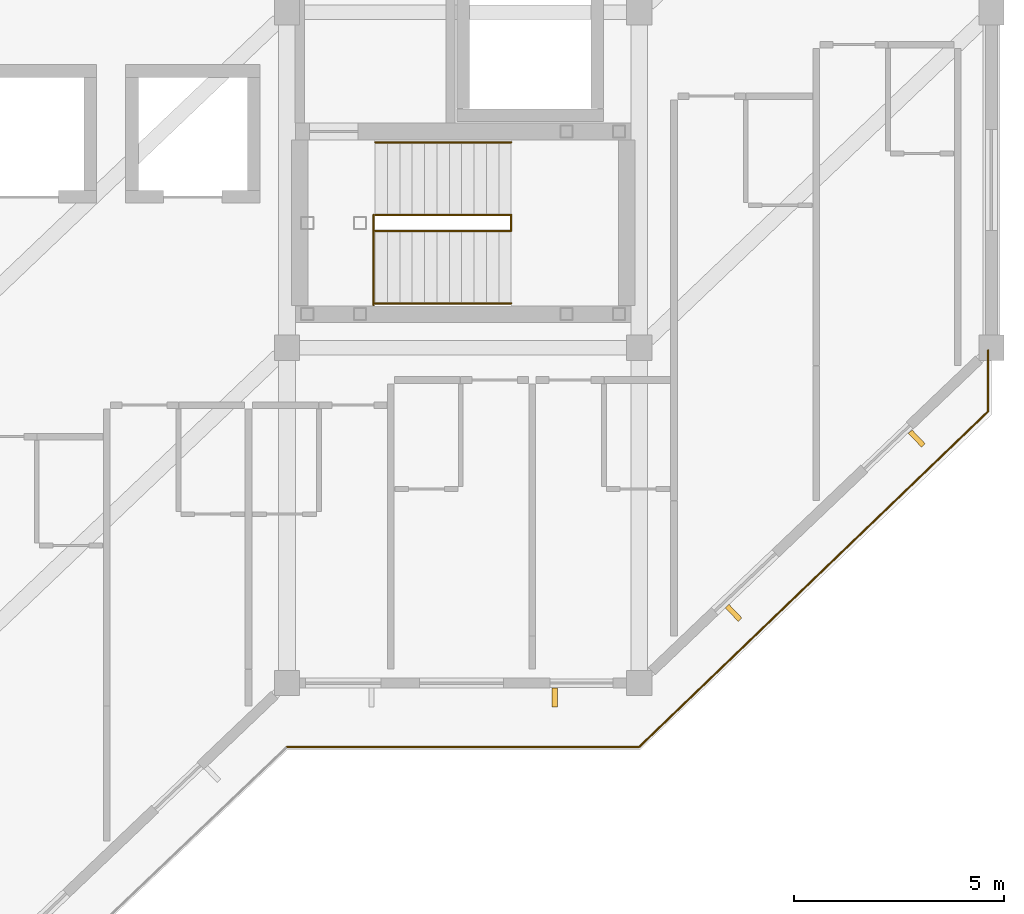
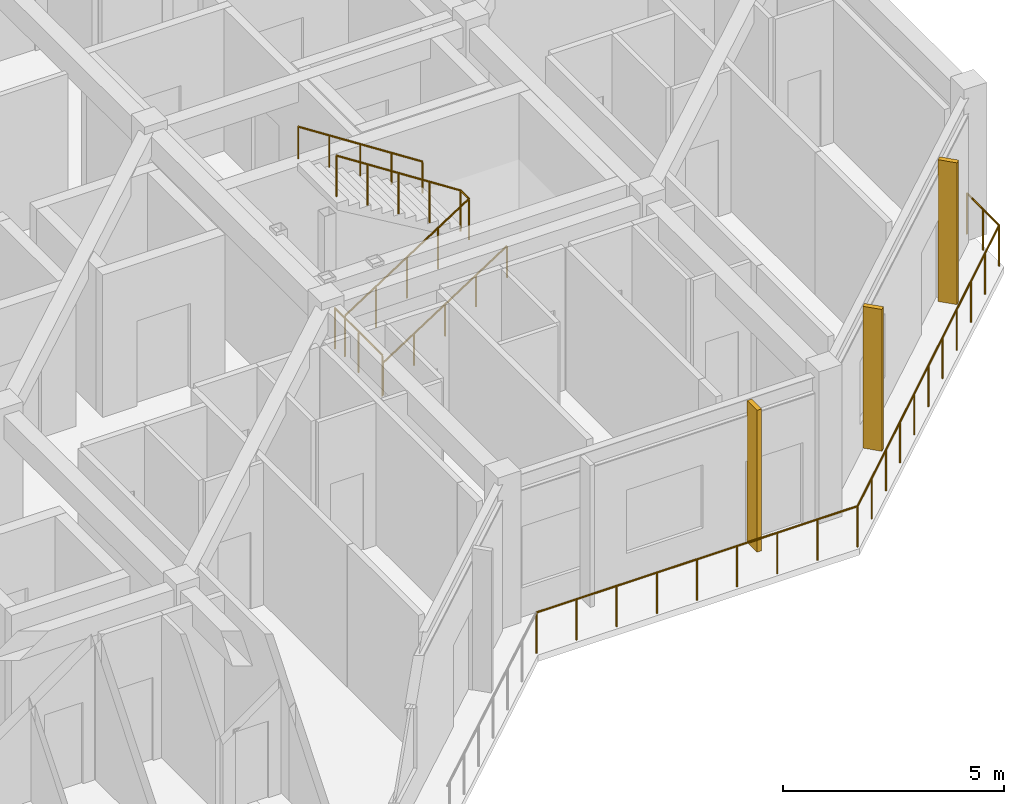
# One storey, part 12 of 13: 9 railings, 3 shading devices.
"""IFC4 building model written with IfcOpenShell, lengths in metres."""

import ifcopenshell
import ifcopenshell.guid

model = None  # the IFC model being written
_history = None  # IfcOwnerHistory: only IFC2X3 demands one
_inside = {}  # id of a spatial element -> (the spatial element, [elements in it])
_under = {}  # id of a project, library or spatial element -> (it, [spatial elements below it])
_declared = {}  # id of a project -> (the project, [libraries it declares])
_typed = {}  # id of a type object -> (the type object, [elements of that type])
_made_of = {}  # id of a material, layer set ... -> (it, [elements and type objects made of it])


def new_model(schema):
    """Start an empty IFC model of exactly this schema.

    Asked for "IFC4X3", IfcOpenShell would pick the latest addendum, in which some entities
    have other attributes; the version numbers below select the first issue.
    IFC2X3 requires an IfcOwnerHistory on every rooted entity: one is made here for all.
    """
    global model, _history
    if schema == "IFC4X3":
        model = ifcopenshell.file(schema_version=(4, 3, 0, 0))
    else:
        model = ifcopenshell.file(schema=schema)
    _inside.clear()
    _under.clear()
    _declared.clear()
    _typed.clear()
    _made_of.clear()
    _history = None
    if model.schema == "IFC2X3":
        org = make("IfcOrganization", Name="unknown")
        user = make(
            "IfcPersonAndOrganization",
            ThePerson=make("IfcPerson", FamilyName="unknown"),
            TheOrganization=org,
        )
        app = make(
            "IfcApplication",
            ApplicationDeveloper=org,
            Version="unknown",
            ApplicationFullName="unknown",
            ApplicationIdentifier="unknown",
        )
        _history = make(
            "IfcOwnerHistory",
            OwningUser=user,
            OwningApplication=app,
            ChangeAction="ADDED",
            CreationDate=0,
        )
    return model


def make(cls, **values):
    """One entity of the class cls with the attributes given. An attribute that is None is left unset."""
    return model.create_entity(
        cls, **{name: value for name, value in values.items() if value is not None}
    )


def rooted(cls, **values):
    """An entity with a GlobalId (a new one), such as an element, a storey or a relation."""
    return make(cls, GlobalId=ifcopenshell.guid.new(), OwnerHistory=_history, **values)


def si_unit(unit_type, name, prefix=None):
    """IfcSIUnit, for example si_unit("LENGTHUNIT", "METRE", prefix="MILLI")."""
    return make("IfcSIUnit", UnitType=unit_type, Prefix=prefix, Name=name)


def assignment(units):
    """IfcUnitAssignment: the units of a project."""
    return None if units is None else make("IfcUnitAssignment", Units=units)


def point(xyz):
    """IfcCartesianPoint."""
    return None if xyz is None else make("IfcCartesianPoint", Coordinates=xyz)


def direction(xyz):
    """IfcDirection."""
    return None if xyz is None else make("IfcDirection", DirectionRatios=xyz)


def frame(location, z_axis=None, x_axis=None):
    """IfcAxis2Placement3D, a coordinate frame: its origin and axes. An axis left out is left unset."""
    return make(
        "IfcAxis2Placement3D",
        Location=point(location),
        Axis=direction(z_axis),
        RefDirection=direction(x_axis),
    )


def frame_2d(location, x_axis=None):
    """IfcAxis2Placement2D, a coordinate frame in the plane: its origin and x axis."""
    return make(
        "IfcAxis2Placement2D", Location=point(location), RefDirection=direction(x_axis)
    )


def origin():
    """The frame at (0, 0, 0) with its axes left unset."""
    return frame((0.0, 0.0, 0.0))


def origin_2d():
    """The frame at (0, 0) in the plane with its x axis left unset."""
    return frame_2d((0.0, 0.0))


def place(relative_to, where):
    """IfcLocalPlacement: puts the frame where relative to a parent placement (None: the world)."""
    return make(
        "IfcLocalPlacement", PlacementRelTo=relative_to, RelativePlacement=where
    )


def context(
    kind, dimensions, precision=None, world=None, true_north=None, identifier=None
):
    """IfcGeometricRepresentationContext, for example the 3D "Model" context."""
    return make(
        "IfcGeometricRepresentationContext",
        ContextIdentifier=identifier,
        ContextType=kind,
        CoordinateSpaceDimension=dimensions,
        Precision=precision,
        WorldCoordinateSystem=world,
        TrueNorth=true_north,
    )


def subcontext(parent, identifier, kind, view, scale=None):
    """IfcGeometricRepresentationSubContext, for example "Body" below "Model"."""
    return make(
        "IfcGeometricRepresentationSubContext",
        ContextIdentifier=identifier,
        ContextType=kind,
        ParentContext=parent,
        TargetScale=scale,
        TargetView=view,
    )


def project(units=None, contexts=None):
    """IfcProject with its units and contexts."""
    return rooted(
        "IfcProject",
        Name="project",
        RepresentationContexts=contexts,
        UnitsInContext=assignment(units),
    )


def spatial(cls, under=None, at=None, **own):
    """A site, building, storey or space (cls), placed at a placement, below another one or the project."""
    s = rooted(cls, ObjectPlacement=at, **own)
    if under is not None:
        _under.setdefault(under.id(), (under, []))[1].append(s)
    return s


def profile(cls, at=None, kind="AREA", **sizes):
    """A parametric profile (cls). Its sizes go by their IFC names, for example OverallWidth=200.0."""
    return make(cls, ProfileType=kind, Position=at, **sizes)


def rectangle(**sizes):
    """IfcRectangleProfileDef."""
    return profile("IfcRectangleProfileDef", **sizes)


def circle(**sizes):
    """IfcCircleProfileDef."""
    return profile("IfcCircleProfileDef", **sizes)


def extrude(swept, where, along, depth):
    """IfcExtrudedAreaSolid: the profile swept, set in the frame where, extruded along a direction by depth."""
    return make(
        "IfcExtrudedAreaSolid",
        SweptArea=swept,
        Position=where,
        ExtrudedDirection=direction(along),
        Depth=depth,
    )


def shape(context_of_items, identifier, shape_type, items):
    """IfcShapeRepresentation: the items that make up one representation, for example the "Body"."""
    return make(
        "IfcShapeRepresentation",
        ContextOfItems=context_of_items,
        RepresentationIdentifier=identifier,
        RepresentationType=shape_type,
        Items=items,
    )


def material(Name=None, Category=None):
    """IfcMaterial."""
    return make("IfcMaterial", Name=Name, Category=Category)


def layer(
    of_material, thickness, ventilated=None, Name=None, Category=None, Priority=None
):
    """IfcMaterialLayer: one layer of a wall or slab, of a material (None: an air gap)."""
    return make(
        "IfcMaterialLayer",
        Material=of_material,
        LayerThickness=thickness,
        IsVentilated=ventilated,
        Name=Name,
        Category=Category,
        Priority=Priority,
    )


def layer_set(layers, Name=None):
    """IfcMaterialLayerSet."""
    return make("IfcMaterialLayerSet", MaterialLayers=layers, LayerSetName=Name)


def made_of(thing, what):
    """Note that an element or type object is made of a material, layer set ...; save() writes the relation."""
    if what is not None:
        _made_of.setdefault(what.id(), (what, []))[1].append(thing)
    return thing


def type_object(cls, material=None, **own):
    """A type object (cls), such as IfcWallType, which elements share."""
    return made_of(rooted(cls, **own), material)


def element(
    cls,
    number,
    at=None,
    inside=None,
    cuts=None,
    type_object=None,
    material=None,
    context=None,
    identifier="Body",
    shape_type=None,
    held_by="IfcProductDefinitionShape",
    body=None,
    shapes=None,
    **own,
):
    """One element of the class cls, such as IfcWall. Its Tag is "e" and its number.

    at: its placement. inside: the storey or other place that contains it. cuts: it is an
    opening in that element (IfcRelVoidsElement). A single representation is given by context,
    identifier, shape_type and body (its items); several are given by shapes. held_by: the class
    of the entity that holds the representations. save() writes the other relations.
    """
    e = rooted(cls, Tag="e%d" % number, ObjectPlacement=at, **own)
    if body is not None:
        shapes = [shape(context, identifier, shape_type, body)]
    if shapes is not None:
        e.Representation = make(held_by, Representations=shapes)
    if inside is not None:
        _inside.setdefault(inside.id(), (inside, []))[1].append(e)
    if cuts is not None:
        rooted(
            "IfcRelVoidsElement", RelatingBuildingElement=cuts, RelatedOpeningElement=e
        )
    if type_object is not None:
        _typed.setdefault(type_object.id(), (type_object, []))[1].append(e)
    return made_of(e, material)


def aggregate(whole, parts):
    """IfcRelAggregates: a whole, such as a stair, and the parts it consists of."""
    return rooted("IfcRelAggregates", RelatingObject=whole, RelatedObjects=parts)


def save(model, path):
    """Write the relations noted so far, then the file.

    IfcRelAggregates (storeys below a building ...), IfcRelContainedInSpatialStructure (elements
    in a storey), IfcRelDefinesByType, IfcRelAssociatesMaterial and IfcRelDeclares: one each for
    every whole, place, type object, material and project.
    """
    for whole, parts in _under.values():
        aggregate(whole, parts)
    for where, things in _inside.values():
        rooted(
            "IfcRelContainedInSpatialStructure",
            RelatedElements=things,
            RelatingStructure=where,
        )
    for kind, things in _typed.values():
        rooted("IfcRelDefinesByType", RelatedObjects=things, RelatingType=kind)
    for what, things in _made_of.values():
        rooted("IfcRelAssociatesMaterial", RelatedObjects=things, RelatingMaterial=what)
    for by, libraries in _declared.values():
        rooted("IfcRelDeclares", RelatingContext=by, RelatedDefinitions=libraries)
    model.write(path)


model = new_model("IFC4")

# Units and contexts
model_context = context("Model", 3, precision=1e-05, world=origin(), true_north=direction((0.0, 1.0)))
body_context = subcontext(model_context, "Body", "Model", "MODEL_VIEW")
ifc_project = project(units=[si_unit("LENGTHUNIT", "METRE"), si_unit("AREAUNIT", "SQUARE_METRE"), si_unit("VOLUMEUNIT", "CUBIC_METRE"), si_unit("PLANEANGLEUNIT", "RADIAN"), si_unit("MASSUNIT", "GRAM", prefix="KILO")], contexts=[model_context])

# Site, building, storey
site_placement = place(None, origin())
site = spatial("IfcSite", under=ifc_project, at=site_placement, CompositionType="ELEMENT")
building_placement = place(site_placement, origin())
building = spatial("IfcBuilding", under=site, at=building_placement, Name="Naruveol Harbour Congress Hotel", CompositionType="ELEMENT")
storey_placement = place(building_placement, frame((0.0, 0.0, 43.199951171875)))
storey = spatial("IfcBuildingStorey", under=building, at=storey_placement, Name="L10", CompositionType="ELEMENT", Elevation=43.199951171875)

# Railings
ifc_material_1 = material(Name="Tempered Laminated Safety Glass & Stainless Steel", Category="steel")
ifc_layer_1 = layer(ifc_material_1, 0.06005859375)
ifc_layer_set_1 = layer_set([ifc_layer_1], Name="Tempered Laminated Safety Glass & Stainless Steel")
railing_type_1 = type_object("IfcRailingType", Name="LAMINATED GLASS TERRACE BALUSTRADE 1150", PredefinedType="BALUSTRADE", material=ifc_layer_set_1)
railing_1_placement = place(storey_placement, frame((151.199951171875, 6.47998046875, 0.0)))
element("IfcRailing", 1, at=railing_1_placement, inside=storey, type_object=railing_type_1, Name="L10 Harbour balcony balustrade #132", PredefinedType="BALUSTRADE", context=body_context, shape_type="SweptSolid", body=[
    extrude(circle(Radius=0.02392578125, at=origin_2d()), frame((0.0, 0.0, 1.1259765625), z_axis=(1.0, 0.0, 0.0), x_axis=(0.0, 1.0, 0.0)), (0.0, 0.0, 1.0), 8.400146484375),
    extrude(circle(Radius=0.02099609375, at=origin_2d()), origin(), (0.0, 0.0, 1.0), 1.101806640625),
    extrude(circle(Radius=0.02099609375, at=origin_2d()), frame((1.050048828125, 0.0, 0.0)), (0.0, 0.0, 1.0), 1.101806640625),
    extrude(circle(Radius=0.02099609375, at=origin_2d()), frame((2.10009765625, 0.0, 0.0)), (0.0, 0.0, 1.0), 1.101806640625),
    extrude(circle(Radius=0.02099609375, at=origin_2d()), frame((3.150146484375, 0.0, 0.0)), (0.0, 0.0, 1.0), 1.101806640625),
    extrude(circle(Radius=0.02099609375, at=origin_2d()), frame((4.2001953125, 0.0, 0.0)), (0.0, 0.0, 1.0), 1.101806640625),
    extrude(circle(Radius=0.02099609375, at=origin_2d()), frame((5.25, 0.0, 0.0)), (0.0, 0.0, 1.0), 1.101806640625),
    extrude(circle(Radius=0.02099609375, at=origin_2d()), frame((6.300048828125, 0.0, 0.0)), (0.0, 0.0, 1.0), 1.101806640625),
    extrude(circle(Radius=0.02099609375, at=origin_2d()), frame((7.35009765625, 0.0, 0.0)), (0.0, 0.0, 1.0), 1.101806640625),
    extrude(circle(Radius=0.02099609375, at=origin_2d()), frame((8.400146484375, 0.0, 0.0)), (0.0, 0.0, 1.0), 1.101806640625),
])
railing_2_placement = place(storey_placement, frame((159.60009765625, 6.47998046875, 0.0)))
element("IfcRailing", 2, at=railing_2_placement, inside=storey, type_object=railing_type_1, Name="L10 Harbour balcony balustrade #133", PredefinedType="BALUSTRADE", context=body_context, shape_type="SweptSolid", body=[
    extrude(circle(Radius=0.02392578125, at=origin_2d()), frame((0.0, 0.0, 1.1259765625), z_axis=(0.720825748563, 0.693116325164, 0.0), x_axis=(-0.693116325164, 0.720825748563, 0.0)), (0.0, 0.0, 1.0), 11.5419921875),
    extrude(circle(Radius=0.02099609375, at=origin_2d()), origin(), (0.0, 0.0, 1.0), 1.101806640625),
    extrude(circle(Radius=0.02099609375, at=origin_2d()), frame((0.83203125, 0.800048828125, 0.0)), (0.0, 0.0, 1.0), 1.101806640625),
    extrude(circle(Radius=0.02099609375, at=origin_2d()), frame((1.6640625, 1.60009765625, 0.0)), (0.0, 0.0, 1.0), 1.101806640625),
    extrude(circle(Radius=0.02099609375, at=origin_2d()), frame((2.495849609375, 2.39990234375, 0.0)), (0.0, 0.0, 1.0), 1.101806640625),
    extrude(circle(Radius=0.02099609375, at=origin_2d()), frame((3.327880859375, 3.199951171875, 0.0)), (0.0, 0.0, 1.0), 1.101806640625),
    extrude(circle(Radius=0.02099609375, at=origin_2d()), frame((4.159912109375, 4.0, 0.0)), (0.0, 0.0, 1.0), 1.101806640625),
    extrude(circle(Radius=0.02099609375, at=origin_2d()), frame((4.991943359375, 4.800048828125, 0.0)), (0.0, 0.0, 1.0), 1.101806640625),
    extrude(circle(Radius=0.02099609375, at=origin_2d()), frame((5.823974609375, 5.60009765625, 0.0)), (0.0, 0.0, 1.0), 1.101806640625),
    extrude(circle(Radius=0.02099609375, at=origin_2d()), frame((6.65576171875, 6.39990234375, 0.0)), (0.0, 0.0, 1.0), 1.101806640625),
    extrude(circle(Radius=0.02099609375, at=origin_2d()), frame((7.48779296875, 7.199951171875, 0.0)), (0.0, 0.0, 1.0), 1.101806640625),
    extrude(circle(Radius=0.02099609375, at=origin_2d()), frame((8.31982421875, 8.0, 0.0)), (0.0, 0.0, 1.0), 1.101806640625),
])
railing_3_placement = place(storey_placement, frame((167.919921875, 14.47998046875, 0.0)))
element("IfcRailing", 3, at=railing_3_placement, inside=storey, type_object=railing_type_1, Name="L10 Harbour balcony balustrade #134", PredefinedType="BALUSTRADE", context=body_context, shape_type="SweptSolid", body=[
    extrude(circle(Radius=0.02392578125, at=origin_2d()), frame((0.0, 0.0, 1.1259765625), z_axis=(0.0, 1.0, 0.0), x_axis=(-1.0, 0.0, 0.0)), (0.0, 0.0, 1.0), 1.4599609375),
    extrude(circle(Radius=0.02099609375, at=origin_2d()), origin(), (0.0, 0.0, 1.0), 1.101806640625),
    extrude(circle(Radius=0.02099609375, at=origin_2d()), frame((0.0, 0.72998046875, 0.0)), (0.0, 0.0, 1.0), 1.101806640625),
    extrude(circle(Radius=0.02099609375, at=origin_2d()), frame((0.0, 1.4599609375, 0.0)), (0.0, 0.0, 1.0), 1.101806640625),
])

# Shading devices
ifc_material_2 = material(Name="Precast concrete C40/50", Category="concrete")
shading_device_type = type_object("IfcShadingDeviceType", Name="PRECAST VERTICAL BRISE SOLEIL FIN 120X450", PredefinedType="JALOUSIE", material=ifc_material_2)
for number, where, z_axis, x_axis, name in (
    (4, (157.583984375, 7.659912109375, 0.0), (0.0, 0.0, 1.0), (-1.0, 0.0, 0.0), "Precast brise-soleil fin BS-V450 #115"),
    (5, (166.218994140625, 13.833984375, 0.0), (0.0, 0.0, 1.0), (-0.724171861437, -0.689619543736, 0.0), "Precast brise-soleil fin BS-V450 #118"),
    (6, (161.85107421875, 9.674072265625, 0.0), (0.0, 0.0, 1.0), (-0.724171861437, -0.689619543736, 0.0), "Precast brise-soleil fin BS-V450 #119"),
):
    element("IfcShadingDevice", number, at=place(storey_placement, frame(where, z_axis=z_axis, x_axis=x_axis)), inside=storey, type_object=shading_device_type, Name=name, PredefinedType="JALOUSIE", context=body_context, shape_type="SweptSolid", body=[
        extrude(rectangle(XDim=0.1201171875, YDim=0.449951171875, at=origin_2d()), origin(), (0.0, 0.0, 1.0), 3.919921875),
    ])

# Railings
ifc_material_3 = material(Name="Stainless Steel 304", Category="steel")
ifc_layer_2 = layer(ifc_material_3, 0.0419921875)
ifc_layer_set_2 = layer_set([ifc_layer_2], Name="Stainless Steel 304")
railing_type_2 = type_object("IfcRailingType", Name="STAIR WALL MOUNTED HANDRAIL 900", PredefinedType="HANDRAIL", material=ifc_layer_set_2)
railing_4_placement = place(storey_placement, frame((153.300048828125, 17.06005859375, 0.0)))
element("IfcRailing", 7, at=railing_4_placement, inside=storey, type_object=railing_type_2, Name="Stair ST2 L10 lower wall handrail", PredefinedType="HANDRAIL", context=body_context, shape_type="SweptSolid", body=[
    extrude(circle(Radius=0.02392578125, at=origin_2d()), frame((0.0, 0.0, 0.8759765625), z_axis=(0.839514229355, 0.0, 0.543337702273), x_axis=(0.0, 1.0, 0.0)), (0.0, 0.0, 1.0), 3.865234375),
    extrude(circle(Radius=0.02099609375, at=origin_2d()), origin(), (0.0, 0.0, 1.0), 0.851806640625),
    extrude(circle(Radius=0.02099609375, at=origin_2d()), frame((0.811279296875, 0.0, 0.52490234375)), (0.0, 0.0, 1.0), 0.851806640625),
    extrude(circle(Radius=0.02099609375, at=origin_2d()), frame((1.62255859375, 0.0, 1.050048828125)), (0.0, 0.0, 1.0), 0.851806640625),
    extrude(circle(Radius=0.02099609375, at=origin_2d()), frame((2.43359375, 0.0, 1.5751953125)), (0.0, 0.0, 1.0), 0.851806640625),
    extrude(circle(Radius=0.02099609375, at=origin_2d()), frame((3.244873046875, 0.0, 2.10009765625)), (0.0, 0.0, 1.0), 0.851806640625),
])
railing_5_placement = place(storey_placement, frame((156.544921875, 20.89990234375, 2.10009765625)))
element("IfcRailing", 8, at=railing_5_placement, inside=storey, type_object=railing_type_2, Name="Stair ST2 L10 upper wall handrail", PredefinedType="HANDRAIL", context=body_context, shape_type="SweptSolid", body=[
    extrude(circle(Radius=0.02392578125, at=origin_2d()), frame((0.0, 0.0, 0.8759765625), z_axis=(-0.839543040825, 0.0, 0.543293182916), x_axis=(0.0, -1.0, 0.0)), (0.0, 0.0, 1.0), 3.864990234375),
    extrude(circle(Radius=0.02099609375, at=origin_2d()), origin(), (0.0, 0.0, 1.0), 0.851806640625),
    extrude(circle(Radius=0.02099609375, at=origin_2d()), frame((-0.811279296875, 0.0, 0.52490234375)), (0.0, 0.0, 1.0), 0.851806640625),
    extrude(circle(Radius=0.02099609375, at=origin_2d()), frame((-1.62255859375, 0.0, 1.0498046875)), (0.0, 0.0, 1.0), 0.851806640625),
    extrude(circle(Radius=0.02099609375, at=origin_2d()), frame((-2.43359375, 0.0, 1.574951171875)), (0.0, 0.0, 1.0), 0.851806640625),
    extrude(circle(Radius=0.02099609375, at=origin_2d()), frame((-3.244873046875, 0.0, 2.099853515625)), (0.0, 0.0, 1.0), 0.851806640625),
])
ifc_material_4 = material(Name="Steel SN490", Category="steel")
ifc_layer_3 = layer(ifc_material_4, 0.044921875)
ifc_layer_set_3 = layer_set([ifc_layer_3], Name="Steel SN490")
railing_type_3 = type_object("IfcRailingType", Name="STAIRWELL STEEL GUARDRAIL 1150", PredefinedType="GUARDRAIL", material=ifc_layer_set_3)
railing_6_placement = place(storey_placement, frame((153.300048828125, 18.7900390625, 0.0)))
element("IfcRailing", 9, at=railing_6_placement, inside=storey, type_object=railing_type_3, Name="Stair ST2 L10 lower well guard", PredefinedType="GUARDRAIL", context=body_context, shape_type="SweptSolid", body=[
    extrude(circle(Radius=0.02392578125, at=origin_2d()), frame((0.0, 0.0, 1.1259765625), z_axis=(0.839514229355, 0.0, 0.543337702273), x_axis=(0.0, 1.0, 0.0)), (0.0, 0.0, 1.0), 3.865234375),
    extrude(circle(Radius=0.02099609375, at=origin_2d()), origin(), (0.0, 0.0, 1.0), 1.101806640625),
    extrude(circle(Radius=0.02099609375, at=origin_2d()), frame((0.811279296875, 0.0, 0.52490234375)), (0.0, 0.0, 1.0), 1.101806640625),
    extrude(circle(Radius=0.02099609375, at=origin_2d()), frame((1.62255859375, 0.0, 1.050048828125)), (0.0, 0.0, 1.0), 1.101806640625),
    extrude(circle(Radius=0.02099609375, at=origin_2d()), frame((2.43359375, 0.0, 1.5751953125)), (0.0, 0.0, 1.0), 1.101806640625),
    extrude(circle(Radius=0.02099609375, at=origin_2d()), frame((3.244873046875, 0.0, 2.10009765625)), (0.0, 0.0, 1.0), 1.101806640625),
])
railing_7_placement = place(storey_placement, frame((156.544921875, 18.7900390625, 2.10009765625)))
element("IfcRailing", 10, at=railing_7_placement, inside=storey, type_object=railing_type_3, Name="Stair ST2 L10 half-landing slot guard", PredefinedType="GUARDRAIL", context=body_context, shape_type="SweptSolid", body=[
    extrude(circle(Radius=0.02392578125, at=origin_2d()), frame((0.0, 0.0, 1.1259765625), z_axis=(0.0, 1.0, 0.0), x_axis=(-1.0, 0.0, 0.0)), (0.0, 0.0, 1.0), 0.3798828125),
    extrude(circle(Radius=0.02099609375, at=origin_2d()), origin(), (0.0, 0.0, 1.0), 1.101806640625),
    extrude(circle(Radius=0.02099609375, at=origin_2d()), frame((0.0, 0.3798828125, 0.0)), (0.0, 0.0, 1.0), 1.101806640625),
])
railing_8_placement = place(storey_placement, frame((156.544921875, 19.169921875, 2.10009765625)))
element("IfcRailing", 11, at=railing_8_placement, inside=storey, type_object=railing_type_3, Name="Stair ST2 L10 upper well guard", PredefinedType="GUARDRAIL", context=body_context, shape_type="SweptSolid", body=[
    extrude(circle(Radius=0.02392578125, at=origin_2d()), frame((0.0, 0.0, 1.1259765625), z_axis=(-0.839543040825, 0.0, 0.543293182916), x_axis=(0.0, -1.0, 0.0)), (0.0, 0.0, 1.0), 3.864990234375),
    extrude(circle(Radius=0.02099609375, at=origin_2d()), origin(), (0.0, 0.0, 1.0), 1.101806640625),
    extrude(circle(Radius=0.02099609375, at=origin_2d()), frame((-0.811279296875, 0.0, 0.52490234375)), (0.0, 0.0, 1.0), 1.101806640625),
    extrude(circle(Radius=0.02099609375, at=origin_2d()), frame((-1.62255859375, 0.0, 1.0498046875)), (0.0, 0.0, 1.0), 1.101806640625),
    extrude(circle(Radius=0.02099609375, at=origin_2d()), frame((-2.43359375, 0.0, 1.574951171875)), (0.0, 0.0, 1.0), 1.101806640625),
    extrude(circle(Radius=0.02099609375, at=origin_2d()), frame((-3.244873046875, 0.0, 2.099853515625)), (0.0, 0.0, 1.0), 1.101806640625),
])
railing_9_placement = place(storey_placement, frame((153.260009765625, 17.02001953125, 0.0)))
element("IfcRailing", 12, at=railing_9_placement, inside=storey, type_object=railing_type_3, Name="Stair ST2 L10 landing well guard", PredefinedType="GUARDRAIL", context=body_context, shape_type="SweptSolid", body=[
    extrude(circle(Radius=0.02392578125, at=origin_2d()), frame((0.0, 0.0, 1.1259765625), z_axis=(0.0, 1.0, 0.0), x_axis=(-1.0, 0.0, 0.0)), (0.0, 0.0, 1.0), 2.14990234375),
    extrude(circle(Radius=0.02099609375, at=origin_2d()), origin(), (0.0, 0.0, 1.0), 1.101806640625),
    extrude(circle(Radius=0.02099609375, at=origin_2d()), frame((0.0, 1.074951171875, 0.0)), (0.0, 0.0, 1.0), 1.101806640625),
    extrude(circle(Radius=0.02099609375, at=origin_2d()), frame((0.0, 2.14990234375, 0.0)), (0.0, 0.0, 1.0), 1.101806640625),
])

save(model, "model.ifc")
